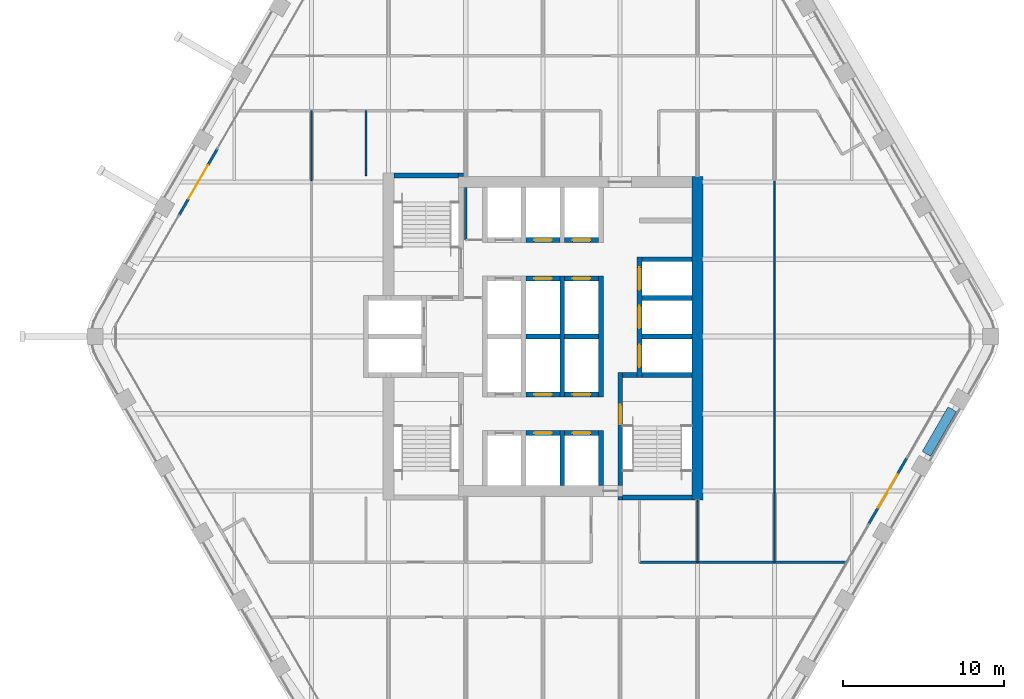
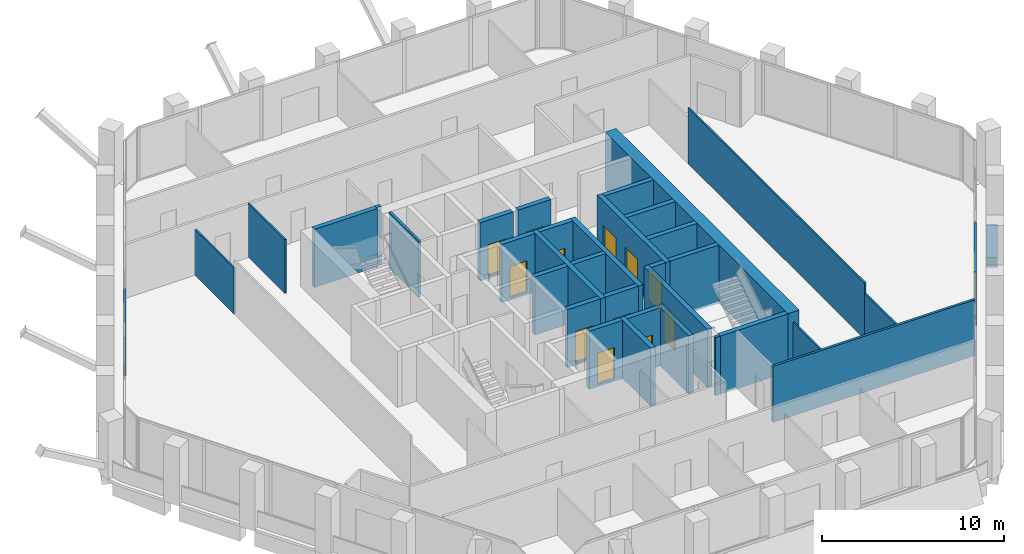
# One storey, part 11 of 16: 36 walls, 14 doors, 14 openings.
"""IFC4 building model written with IfcOpenShell, lengths in metres."""

from ifc_helpers import new_model, si_unit, direction, frame, frame_2d, origin, place, context, subcontext, project, spatial, rectangle, extrude, material, layer, layer_set, type_object, element, fill, save


model = new_model("IFC4")

# Units and contexts
model_context = context("Model", 3, precision=1e-05, world=origin(), true_north=direction((0.0, 1.0)))
body_context = subcontext(model_context, "Body", "Model", "MODEL_VIEW")
ifc_project = project(units=[si_unit("LENGTHUNIT", "METRE"), si_unit("AREAUNIT", "SQUARE_METRE"), si_unit("VOLUMEUNIT", "CUBIC_METRE"), si_unit("PLANEANGLEUNIT", "RADIAN"), si_unit("MASSUNIT", "GRAM", prefix="KILO")], contexts=[model_context])

# Site, building, storey
site_placement = place(None, origin())
site = spatial("IfcSite", under=ifc_project, at=site_placement, CompositionType="ELEMENT")
building_placement = place(site_placement, origin())
building = spatial("IfcBuilding", under=site, at=building_placement, Name="Kolab Exchange Tower", CompositionType="ELEMENT")
storey_placement = place(building_placement, frame((0.0, 0.0, 146.60009765625)))
storey = spatial("IfcBuildingStorey", under=building, at=storey_placement, Name="L29", CompositionType="ELEMENT", Elevation=146.60009765625)

# Wall
ifc_material_1 = material(Name="Concrete C60/75", Category="concrete")
ifc_layer_1 = layer(ifc_material_1, 0.699951171875)
ifc_layer_set_1 = layer_set([ifc_layer_1], Name="Concrete C60/75")
wall_type_1 = type_object("IfcWallType", Name="CORE WALL 700 C60/75", PredefinedType="SHEAR", material=ifc_layer_set_1)
wall_1_placement = place(storey_placement, frame((9.60009765625, -10.14990234375, -0.150146484375), z_axis=(0.0, 0.0, 1.0), x_axis=(0.0, 1.0, 0.0)))
element("IfcWall", 1, at=wall_1_placement, inside=storey, type_object=wall_type_1, Name="wall/L29/core/058", PredefinedType="SHEAR", context=body_context, shape_type="SweptSolid", body=[
    extrude(rectangle(XDim=20.099853515625, YDim=0.699951171875, at=frame_2d((10.0498046875, 0.0))), origin(), (0.0, 0.0, 1.0), 3.900146484375),
])

# Wall, opening, door
ifc_material_2 = material(Name="Aluminium EN AW-6063 T6", Category="aluminium")
ifc_layer_2 = layer(ifc_material_2, 0.159912109375)
ifc_layer_set_2 = layer_set([ifc_layer_2], Name="Aluminium EN AW-6063 T6")
wall_type_2 = type_object("IfcWallType", Name="DOOR SURROUND WALL 160 ALUMINIUM FRAMED", PredefinedType="PARTITIONING", material=ifc_layer_set_2)
wall_2_placement = place(storey_placement, frame((22.61669921875, -7.5498046875, 0.0), z_axis=(0.0, 0.0, 1.0), x_axis=(-0.5000167099, -0.866015756104, 0.0)))
wall_2 = element("IfcWall", 2, at=wall_2_placement, inside=storey, type_object=wall_type_2, Name="Door surround wall", PredefinedType="PARTITIONING", context=body_context, shape_type="SweptSolid", body=[
    extrude(rectangle(XDim=4.739990234375, YDim=0.159912109375, at=frame_2d((2.3701171875, 0.0))), origin(), (0.0, 0.0, 1.0), 3.599853515625),
])
opening_1_placement = place(wall_2_placement, frame((1.169921875, 0.0, 0.0)))
opening_1 = element("IfcOpeningElement", 3, at=opening_1_placement, cuts=wall_2, Name="Opening GD1-072", PredefinedType="OPENING", context=body_context, shape_type="SweptSolid", body=[
    extrude(rectangle(XDim=2.39990234375, YDim=2.39990234375, at=frame_2d((1.199951171875, 1.199951171875))), frame((0.0, 0.08984375, 0.0), z_axis=(0.0, -1.0, 0.0), x_axis=(1.0, 0.0, 0.0)), (0.0, 0.0, 1.0), 0.179931640625),
])
door_type_1 = type_object("IfcDoorType", Name="LOGGIA SLIDING GLASS DOOR 2400 X 2400", OperationType="DOUBLE_DOOR_SINGLE_SWING", PredefinedType="DOOR", material=ifc_material_2)
door_1_placement = place(opening_1_placement, origin())
door_1 = element("IfcDoor", 4, at=door_1_placement, inside=storey, type_object=door_type_1, Name="Loggia door", OperationType="DOUBLE_DOOR_SLIDING", OverallHeight=2.39990234375, OverallWidth=2.39990234375, PredefinedType="DOOR", context=body_context, shape_type="SweptSolid", body=[
    extrude(rectangle(XDim=2.39990234375, YDim=2.39990234375, at=frame_2d((1.199951171875, 1.199951171875))), frame((0.0, 0.02490234375, 0.0), z_axis=(0.0, -1.0, 0.0), x_axis=(1.0, 0.0, 0.0)), (0.0, 0.0, 1.0), 0.050048828125),
])
fill(opening_1, door_1)

wall_3_placement = place(storey_placement, frame((-22.61669921875, 7.5498046875, 0.0), z_axis=(0.0, 0.0, 1.0), x_axis=(0.5000167099, 0.866015756104, 0.0)))
wall_3 = element("IfcWall", 5, at=wall_3_placement, inside=storey, type_object=wall_type_2, Name="Door surround wall", PredefinedType="PARTITIONING", context=body_context, shape_type="SweptSolid", body=[
    extrude(rectangle(XDim=4.739990234375, YDim=0.159912109375, at=frame_2d((2.3701171875, 0.0))), origin(), (0.0, 0.0, 1.0), 2.5498046875),
])
opening_2_placement = place(wall_3_placement, frame((1.169921875, 0.0, 0.0)))
opening_2 = element("IfcOpeningElement", 6, at=opening_2_placement, cuts=wall_3, Name="Opening GD1-075", PredefinedType="OPENING", context=body_context, shape_type="SweptSolid", body=[
    extrude(rectangle(XDim=2.39990234375, YDim=2.39990234375, at=frame_2d((1.199951171875, 1.199951171875))), frame((0.0, 0.08984375, 0.0), z_axis=(0.0, -1.0, 0.0), x_axis=(1.0, 0.0, 0.0)), (0.0, 0.0, 1.0), 0.179931640625),
])
door_2_placement = place(opening_2_placement, origin())
door_2 = element("IfcDoor", 7, at=door_2_placement, inside=storey, type_object=door_type_1, Name="Loggia door", OperationType="DOUBLE_DOOR_SLIDING", OverallHeight=2.39990234375, OverallWidth=2.39990234375, PredefinedType="DOOR", context=body_context, shape_type="SweptSolid", body=[
    extrude(rectangle(XDim=2.39990234375, YDim=2.39990234375, at=frame_2d((1.199951171875, 1.199951171875))), frame((0.0, 0.02490234375, 0.0), z_axis=(0.0, -1.0, 0.0), x_axis=(1.0, 0.0, 0.0)), (0.0, 0.0, 1.0), 0.050048828125),
])
fill(opening_2, door_2)

ifc_material_3 = material(Name="Concrete C50/60", Category="concrete")
ifc_layer_3 = layer(ifc_material_3, 0.300048828125)
ifc_layer_set_3 = layer_set([ifc_layer_3], Name="Concrete C50/60")
wall_type_3 = type_object("IfcWallType", Name="LIFT SHAFT WALL 300 C50/60", PredefinedType="STANDARD", material=ifc_layer_set_3)
wall_4_placement = place(storey_placement, frame((-1.050048828125, -6.0, -0.150146484375), z_axis=(0.0, 0.0, 1.0), x_axis=(1.0, 0.0, 0.0)))
wall_4 = element("IfcWall", 8, at=wall_4_placement, inside=storey, type_object=wall_type_3, Name="wall/L29/core/004", PredefinedType="STANDARD", context=body_context, shape_type="SweptSolid", body=[
    extrude(rectangle(XDim=2.10009765625, YDim=0.300048828125, at=frame_2d((1.050048828125, 0.0))), origin(), (0.0, 0.0, 1.0), 3.900146484375),
])
opening_3_placement = place(wall_4_placement, frame((0.5, 0.0, 0.14990234375)))
opening_3 = element("IfcOpeningElement", 9, at=opening_3_placement, cuts=wall_4, Name="Opening LD1-111", PredefinedType="OPENING", context=body_context, shape_type="SweptSolid", body=[
    extrude(rectangle(XDim=1.10009765625, YDim=2.10009765625, at=frame_2d((0.550048828125, 1.050048828125))), frame((0.0, 0.16015625, 0.0), z_axis=(0.0, -1.0, 0.0), x_axis=(1.0, 0.0, 0.0)), (0.0, 0.0, 1.0), 0.320068359375),
])
ifc_material_4 = material(Name="Stainless steel 316", Category="steel")
door_type_2 = type_object("IfcDoorType", Name="LANDING DOOR 1100 PASSENGER", OperationType="DOUBLE_DOOR_SLIDING", PredefinedType="DOOR", material=ifc_material_4)
door_3_placement = place(opening_3_placement, origin())
door_3 = element("IfcDoor", 10, at=door_3_placement, inside=storey, type_object=door_type_2, Name="Landing door HR11", OperationType="DOUBLE_DOOR_SLIDING", OverallHeight=2.10009765625, OverallWidth=1.10009765625, PredefinedType="DOOR", context=body_context, shape_type="SweptSolid", body=[
    extrude(rectangle(XDim=1.10009765625, YDim=2.10009765625, at=frame_2d((0.550048828125, 1.050048828125))), frame((0.0, 0.02490234375, 0.0), z_axis=(0.0, -1.0, 0.0), x_axis=(1.0, 0.0, 0.0)), (0.0, 0.0, 1.0), 0.050048828125),
])
fill(opening_3, door_3)

wall_5_placement = place(storey_placement, frame((1.35009765625, -6.0, -0.150146484375), z_axis=(0.0, 0.0, 1.0), x_axis=(1.0, 0.0, 0.0)))
wall_5 = element("IfcWall", 11, at=wall_5_placement, inside=storey, type_object=wall_type_3, Name="wall/L29/core/005", PredefinedType="STANDARD", context=body_context, shape_type="SweptSolid", body=[
    extrude(rectangle(XDim=2.099853515625, YDim=0.300048828125, at=frame_2d((1.0498046875, 0.0))), origin(), (0.0, 0.0, 1.0), 3.900146484375),
])
opening_4_placement = place(wall_5_placement, frame((0.5, 0.0, 0.14990234375)))
opening_4 = element("IfcOpeningElement", 12, at=opening_4_placement, cuts=wall_5, Name="Opening LD1-112", PredefinedType="OPENING", context=body_context, shape_type="SweptSolid", body=[
    extrude(rectangle(XDim=1.10009765625, YDim=2.10009765625, at=frame_2d((0.550048828125, 1.050048828125))), frame((0.0, 0.16015625, 0.0), z_axis=(0.0, -1.0, 0.0), x_axis=(1.0, 0.0, 0.0)), (0.0, 0.0, 1.0), 0.320068359375),
])
door_4_placement = place(opening_4_placement, origin())
door_4 = element("IfcDoor", 13, at=door_4_placement, inside=storey, type_object=door_type_2, Name="Landing door HR12", OperationType="DOUBLE_DOOR_SLIDING", OverallHeight=2.10009765625, OverallWidth=1.10009765625, PredefinedType="DOOR", context=body_context, shape_type="SweptSolid", body=[
    extrude(rectangle(XDim=1.10009765625, YDim=2.10009765625, at=frame_2d((0.550048828125, 1.050048828125))), frame((0.0, 0.02490234375, 0.0), z_axis=(0.0, -1.0, 0.0), x_axis=(1.0, 0.0, 0.0)), (0.0, 0.0, 1.0), 0.050048828125),
])
fill(opening_4, door_4)

wall_6_placement = place(storey_placement, frame((-1.050048828125, -3.60009765625, -0.150146484375), z_axis=(0.0, 0.0, 1.0), x_axis=(1.0, 0.0, 0.0)))
wall_6 = element("IfcWall", 14, at=wall_6_placement, inside=storey, type_object=wall_type_3, Name="wall/L29/core/007", PredefinedType="STANDARD", context=body_context, shape_type="SweptSolid", body=[
    extrude(rectangle(XDim=2.10009765625, YDim=0.300048828125, at=frame_2d((1.050048828125, 0.0))), origin(), (0.0, 0.0, 1.0), 3.900146484375),
])
opening_5_placement = place(wall_6_placement, frame((0.5, 0.0, 0.14990234375)))
opening_5 = element("IfcOpeningElement", 15, at=opening_5_placement, cuts=wall_6, Name="Opening LD1-119", PredefinedType="OPENING", context=body_context, shape_type="SweptSolid", body=[
    extrude(rectangle(XDim=1.10009765625, YDim=2.10009765625, at=frame_2d((0.550048828125, 1.050048828125))), frame((0.0, 0.16015625, 0.0), z_axis=(0.0, -1.0, 0.0), x_axis=(1.0, 0.0, 0.0)), (0.0, 0.0, 1.0), 0.320068359375),
])
door_5_placement = place(opening_5_placement, origin())
door_5 = element("IfcDoor", 16, at=door_5_placement, inside=storey, type_object=door_type_2, Name="Landing door HR8", OperationType="DOUBLE_DOOR_SLIDING", OverallHeight=2.10009765625, OverallWidth=1.10009765625, PredefinedType="DOOR", context=body_context, shape_type="SweptSolid", body=[
    extrude(rectangle(XDim=1.10009765625, YDim=2.10009765625, at=frame_2d((0.550048828125, 1.050048828125))), frame((0.0, 0.02490234375, 0.0), z_axis=(0.0, -1.0, 0.0), x_axis=(1.0, 0.0, 0.0)), (0.0, 0.0, 1.0), 0.050048828125),
])
fill(opening_5, door_5)

wall_7_placement = place(storey_placement, frame((1.35009765625, -3.60009765625, -0.150146484375), z_axis=(0.0, 0.0, 1.0), x_axis=(1.0, 0.0, 0.0)))
wall_7 = element("IfcWall", 17, at=wall_7_placement, inside=storey, type_object=wall_type_3, Name="wall/L29/core/008", PredefinedType="STANDARD", context=body_context, shape_type="SweptSolid", body=[
    extrude(rectangle(XDim=2.099853515625, YDim=0.300048828125, at=frame_2d((1.0498046875, 0.0))), origin(), (0.0, 0.0, 1.0), 3.900146484375),
])
opening_6_placement = place(wall_7_placement, frame((0.5, 0.0, 0.14990234375)))
opening_6 = element("IfcOpeningElement", 18, at=opening_6_placement, cuts=wall_7, Name="Opening LD1-120", PredefinedType="OPENING", context=body_context, shape_type="SweptSolid", body=[
    extrude(rectangle(XDim=1.10009765625, YDim=2.10009765625, at=frame_2d((0.550048828125, 1.050048828125))), frame((0.0, 0.16015625, 0.0), z_axis=(0.0, -1.0, 0.0), x_axis=(1.0, 0.0, 0.0)), (0.0, 0.0, 1.0), 0.320068359375),
])
door_6_placement = place(opening_6_placement, origin())
door_6 = element("IfcDoor", 19, at=door_6_placement, inside=storey, type_object=door_type_2, Name="Landing door HR9", OperationType="DOUBLE_DOOR_SLIDING", OverallHeight=2.10009765625, OverallWidth=1.10009765625, PredefinedType="DOOR", context=body_context, shape_type="SweptSolid", body=[
    extrude(rectangle(XDim=1.10009765625, YDim=2.10009765625, at=frame_2d((0.550048828125, 1.050048828125))), frame((0.0, 0.02490234375, 0.0), z_axis=(0.0, -1.0, 0.0), x_axis=(1.0, 0.0, 0.0)), (0.0, 0.0, 1.0), 0.050048828125),
])
fill(opening_6, door_6)

# Walls
wall_8_placement = place(storey_placement, frame((-1.050048828125, 0.0, -0.150146484375), z_axis=(0.0, 0.0, 1.0), x_axis=(1.0, 0.0, 0.0)))
element("IfcWall", 20, at=wall_8_placement, inside=storey, type_object=wall_type_3, Name="wall/L29/core/016", PredefinedType="STANDARD", context=body_context, shape_type="SweptSolid", body=[
    extrude(rectangle(XDim=2.10009765625, YDim=0.300048828125, at=frame_2d((1.050048828125, 0.0))), origin(), (0.0, 0.0, 1.0), 3.900146484375),
])
wall_9_placement = place(storey_placement, frame((1.35009765625, 0.0, -0.150146484375), z_axis=(0.0, 0.0, 1.0), x_axis=(1.0, 0.0, 0.0)))
element("IfcWall", 21, at=wall_9_placement, inside=storey, type_object=wall_type_3, Name="wall/L29/core/017", PredefinedType="STANDARD", context=body_context, shape_type="SweptSolid", body=[
    extrude(rectangle(XDim=2.099853515625, YDim=0.300048828125, at=frame_2d((1.0498046875, 0.0))), origin(), (0.0, 0.0, 1.0), 3.900146484375),
])
for number, where, z_axis, x_axis, name in (
    (22, (6.14990234375, 0.0, -0.150146484375), (0.0, 0.0, 1.0), (1.0, 0.0, 0.0), "wall/L29/core/018"),
    (23, (6.14990234375, 2.39990234375, -0.150146484375), (0.0, 0.0, 1.0), (1.0, 0.0, 0.0), "wall/L29/core/022"),
):
    element("IfcWall", number, at=place(storey_placement, frame(where, z_axis=z_axis, x_axis=x_axis)), inside=storey, type_object=wall_type_3, Name=name, PredefinedType="STANDARD", context=body_context, shape_type="SweptSolid", body=[
        extrude(rectangle(XDim=3.10009765625, YDim=0.300048828125, at=frame_2d((1.550048828125, 0.0))), origin(), (0.0, 0.0, 1.0), 3.900146484375),
    ])

# Wall, opening, door
wall_10_placement = place(storey_placement, frame((-1.050048828125, 3.60009765625, -0.150146484375), z_axis=(0.0, 0.0, 1.0), x_axis=(1.0, 0.0, 0.0)))
wall_10 = element("IfcWall", 24, at=wall_10_placement, inside=storey, type_object=wall_type_3, Name="wall/L29/core/024", PredefinedType="STANDARD", context=body_context, shape_type="SweptSolid", body=[
    extrude(rectangle(XDim=2.10009765625, YDim=0.300048828125, at=frame_2d((1.050048828125, 0.0))), origin(), (0.0, 0.0, 1.0), 3.900146484375),
])
opening_7_placement = place(wall_10_placement, frame((0.5, 0.0, 0.14990234375)))
opening_7 = element("IfcOpeningElement", 25, at=opening_7_placement, cuts=wall_10, Name="Opening LD1-116", PredefinedType="OPENING", context=body_context, shape_type="SweptSolid", body=[
    extrude(rectangle(XDim=1.10009765625, YDim=2.10009765625, at=frame_2d((0.550048828125, 1.050048828125))), frame((0.0, 0.16015625, 0.0), z_axis=(0.0, -1.0, 0.0), x_axis=(1.0, 0.0, 0.0)), (0.0, 0.0, 1.0), 0.320068359375),
])
door_7_placement = place(opening_7_placement, origin())
door_7 = element("IfcDoor", 26, at=door_7_placement, inside=storey, type_object=door_type_2, Name="Landing door HR5", OperationType="DOUBLE_DOOR_SLIDING", OverallHeight=2.10009765625, OverallWidth=1.10009765625, PredefinedType="DOOR", context=body_context, shape_type="SweptSolid", body=[
    extrude(rectangle(XDim=1.10009765625, YDim=2.10009765625, at=frame_2d((0.550048828125, 1.050048828125))), frame((0.0, 0.02490234375, 0.0), z_axis=(0.0, -1.0, 0.0), x_axis=(1.0, 0.0, 0.0)), (0.0, 0.0, 1.0), 0.050048828125),
])
fill(opening_7, door_7)

wall_11_placement = place(storey_placement, frame((1.35009765625, 3.60009765625, -0.150146484375), z_axis=(0.0, 0.0, 1.0), x_axis=(1.0, 0.0, 0.0)))
wall_11 = element("IfcWall", 27, at=wall_11_placement, inside=storey, type_object=wall_type_3, Name="wall/L29/core/025", PredefinedType="STANDARD", context=body_context, shape_type="SweptSolid", body=[
    extrude(rectangle(XDim=2.099853515625, YDim=0.300048828125, at=frame_2d((1.0498046875, 0.0))), origin(), (0.0, 0.0, 1.0), 3.900146484375),
])
opening_8_placement = place(wall_11_placement, frame((0.5, 0.0, 0.14990234375)))
opening_8 = element("IfcOpeningElement", 28, at=opening_8_placement, cuts=wall_11, Name="Opening LD1-117", PredefinedType="OPENING", context=body_context, shape_type="SweptSolid", body=[
    extrude(rectangle(XDim=1.10009765625, YDim=2.10009765625, at=frame_2d((0.550048828125, 1.050048828125))), frame((0.0, 0.16015625, 0.0), z_axis=(0.0, -1.0, 0.0), x_axis=(1.0, 0.0, 0.0)), (0.0, 0.0, 1.0), 0.320068359375),
])
door_8_placement = place(opening_8_placement, origin())
door_8 = element("IfcDoor", 29, at=door_8_placement, inside=storey, type_object=door_type_2, Name="Landing door HR6", OperationType="DOUBLE_DOOR_SLIDING", OverallHeight=2.10009765625, OverallWidth=1.10009765625, PredefinedType="DOOR", context=body_context, shape_type="SweptSolid", body=[
    extrude(rectangle(XDim=1.10009765625, YDim=2.10009765625, at=frame_2d((0.550048828125, 1.050048828125))), frame((0.0, 0.02490234375, 0.0), z_axis=(0.0, -1.0, 0.0), x_axis=(1.0, 0.0, 0.0)), (0.0, 0.0, 1.0), 0.050048828125),
])
fill(opening_8, door_8)

# Wall
wall_12_placement = place(storey_placement, frame((6.14990234375, 4.800048828125, -0.150146484375), z_axis=(0.0, 0.0, 1.0), x_axis=(1.0, 0.0, 0.0)))
element("IfcWall", 30, at=wall_12_placement, inside=storey, type_object=wall_type_3, Name="wall/L29/core/026", PredefinedType="STANDARD", context=body_context, shape_type="SweptSolid", body=[
    extrude(rectangle(XDim=3.10009765625, YDim=0.300048828125, at=frame_2d((1.550048828125, 0.0))), origin(), (0.0, 0.0, 1.0), 3.900146484375),
])

# Wall, opening, door
wall_13_placement = place(storey_placement, frame((-1.050048828125, 6.0, -0.150146484375), z_axis=(0.0, 0.0, 1.0), x_axis=(1.0, 0.0, 0.0)))
wall_13 = element("IfcWall", 31, at=wall_13_placement, inside=storey, type_object=wall_type_3, Name="wall/L29/core/028", PredefinedType="STANDARD", context=body_context, shape_type="SweptSolid", body=[
    extrude(rectangle(XDim=2.10009765625, YDim=0.300048828125, at=frame_2d((1.050048828125, 0.0))), origin(), (0.0, 0.0, 1.0), 3.900146484375),
])
opening_9_placement = place(wall_13_placement, frame((0.5, 0.0, 0.14990234375)))
opening_9 = element("IfcOpeningElement", 32, at=opening_9_placement, cuts=wall_13, Name="Opening LD1-113", PredefinedType="OPENING", context=body_context, shape_type="SweptSolid", body=[
    extrude(rectangle(XDim=1.10009765625, YDim=2.10009765625, at=frame_2d((0.550048828125, 1.050048828125))), frame((0.0, 0.16015625, 0.0), z_axis=(0.0, -1.0, 0.0), x_axis=(1.0, 0.0, 0.0)), (0.0, 0.0, 1.0), 0.320068359375),
])
door_9_placement = place(opening_9_placement, origin())
door_9 = element("IfcDoor", 33, at=door_9_placement, inside=storey, type_object=door_type_2, Name="Landing door HR2", OperationType="DOUBLE_DOOR_SLIDING", OverallHeight=2.10009765625, OverallWidth=1.10009765625, PredefinedType="DOOR", context=body_context, shape_type="SweptSolid", body=[
    extrude(rectangle(XDim=1.10009765625, YDim=2.10009765625, at=frame_2d((0.550048828125, 1.050048828125))), frame((0.0, 0.02490234375, 0.0), z_axis=(0.0, -1.0, 0.0), x_axis=(1.0, 0.0, 0.0)), (0.0, 0.0, 1.0), 0.050048828125),
])
fill(opening_9, door_9)

wall_14_placement = place(storey_placement, frame((1.35009765625, 6.0, -0.150146484375), z_axis=(0.0, 0.0, 1.0), x_axis=(1.0, 0.0, 0.0)))
wall_14 = element("IfcWall", 34, at=wall_14_placement, inside=storey, type_object=wall_type_3, Name="wall/L29/core/029", PredefinedType="STANDARD", context=body_context, shape_type="SweptSolid", body=[
    extrude(rectangle(XDim=2.099853515625, YDim=0.300048828125, at=frame_2d((1.0498046875, 0.0))), origin(), (0.0, 0.0, 1.0), 3.900146484375),
])
opening_10_placement = place(wall_14_placement, frame((0.5, 0.0, 0.14990234375)))
opening_10 = element("IfcOpeningElement", 35, at=opening_10_placement, cuts=wall_14, Name="Opening LD1-114", PredefinedType="OPENING", context=body_context, shape_type="SweptSolid", body=[
    extrude(rectangle(XDim=1.10009765625, YDim=2.10009765625, at=frame_2d((0.550048828125, 1.050048828125))), frame((0.0, 0.16015625, 0.0), z_axis=(0.0, -1.0, 0.0), x_axis=(1.0, 0.0, 0.0)), (0.0, 0.0, 1.0), 0.320068359375),
])
door_10_placement = place(opening_10_placement, origin())
door_10 = element("IfcDoor", 36, at=door_10_placement, inside=storey, type_object=door_type_2, Name="Landing door HR3", OperationType="DOUBLE_DOOR_SLIDING", OverallHeight=2.10009765625, OverallWidth=1.10009765625, PredefinedType="DOOR", context=body_context, shape_type="SweptSolid", body=[
    extrude(rectangle(XDim=1.10009765625, YDim=2.10009765625, at=frame_2d((0.550048828125, 1.050048828125))), frame((0.0, 0.02490234375, 0.0), z_axis=(0.0, -1.0, 0.0), x_axis=(1.0, 0.0, 0.0)), (0.0, 0.0, 1.0), 0.050048828125),
])
fill(opening_10, door_10)

# Walls
wall_15_placement = place(storey_placement, frame((1.199951171875, -9.25, -0.150146484375), z_axis=(0.0, 0.0, 1.0), x_axis=(0.0, 1.0, 0.0)))
element("IfcWall", 37, at=wall_15_placement, inside=storey, type_object=wall_type_3, Name="wall/L29/core/049", PredefinedType="STANDARD", context=body_context, shape_type="SweptSolid", body=[
    extrude(rectangle(XDim=3.39990234375, YDim=0.300048828125, at=frame_2d((1.699951171875, 0.0))), origin(), (0.0, 0.0, 1.0), 3.900146484375),
])
wall_16_placement = place(storey_placement, frame((1.199951171875, -3.75, -0.150146484375), z_axis=(0.0, 0.0, 1.0), x_axis=(0.0, 1.0, 0.0)))
element("IfcWall", 38, at=wall_16_placement, inside=storey, type_object=wall_type_3, Name="wall/L29/core/050", PredefinedType="STANDARD", context=body_context, shape_type="SweptSolid", body=[
    extrude(rectangle(XDim=7.5, YDim=0.300048828125, at=frame_2d((3.75, 0.0))), origin(), (0.0, 0.0, 1.0), 3.900146484375),
])
wall_17_placement = place(storey_placement, frame((3.60009765625, -9.25, -0.150146484375), z_axis=(0.0, 0.0, 1.0), x_axis=(0.0, 1.0, 0.0)))
element("IfcWall", 39, at=wall_17_placement, inside=storey, type_object=wall_type_3, Name="wall/L29/core/052", PredefinedType="STANDARD", context=body_context, shape_type="SweptSolid", body=[
    extrude(rectangle(XDim=3.39990234375, YDim=0.300048828125, at=frame_2d((1.699951171875, 0.0))), origin(), (0.0, 0.0, 1.0), 3.900146484375),
])
wall_18_placement = place(storey_placement, frame((3.60009765625, -3.75, -0.150146484375), z_axis=(0.0, 0.0, 1.0), x_axis=(0.0, 1.0, 0.0)))
element("IfcWall", 40, at=wall_18_placement, inside=storey, type_object=wall_type_3, Name="wall/L29/core/053", PredefinedType="STANDARD", context=body_context, shape_type="SweptSolid", body=[
    extrude(rectangle(XDim=7.5, YDim=0.300048828125, at=frame_2d((3.75, 0.0))), origin(), (0.0, 0.0, 1.0), 3.900146484375),
])

# Wall, openings, doors
wall_19_placement = place(storey_placement, frame((6.0, -2.550048828125, -0.150146484375), z_axis=(0.0, 0.0, 1.0), x_axis=(0.0, 1.0, 0.0)))
wall_19 = element("IfcWall", 41, at=wall_19_placement, inside=storey, type_object=wall_type_3, Name="wall/L29/core/057", PredefinedType="STANDARD", context=body_context, shape_type="SweptSolid", body=[
    extrude(rectangle(XDim=7.5, YDim=0.300048828125, at=frame_2d((3.75, 0.0))), origin(), (0.0, 0.0, 1.0), 3.900146484375),
])
opening_11_placement = place(wall_19_placement, frame((0.64990234375, 0.0, 0.14990234375)))
opening_11 = element("IfcOpeningElement", 42, at=opening_11_placement, cuts=wall_19, Name="Opening LD3-037", PredefinedType="OPENING", context=body_context, shape_type="SweptSolid", body=[
    extrude(rectangle(XDim=1.39990234375, YDim=2.10009765625, at=frame_2d((0.699951171875, 1.050048828125))), frame((0.0, 0.16015625, 0.0), z_axis=(0.0, -1.0, 0.0), x_axis=(1.0, 0.0, 0.0)), (0.0, 0.0, 1.0), 0.320068359375),
])
opening_12_placement = place(wall_19_placement, frame((3.050048828125, 0.0, 0.14990234375)))
opening_12 = element("IfcOpeningElement", 43, at=opening_12_placement, cuts=wall_19, Name="Opening LD3-038", PredefinedType="OPENING", context=body_context, shape_type="SweptSolid", body=[
    extrude(rectangle(XDim=1.39990234375, YDim=2.10009765625, at=frame_2d((0.699951171875, 1.050048828125))), frame((0.0, 0.16015625, 0.0), z_axis=(0.0, -1.0, 0.0), x_axis=(1.0, 0.0, 0.0)), (0.0, 0.0, 1.0), 0.320068359375),
])
opening_13_placement = place(wall_19_placement, frame((5.449951171875, 0.0, 0.14990234375)))
opening_13 = element("IfcOpeningElement", 44, at=opening_13_placement, cuts=wall_19, Name="Opening LD3-039", PredefinedType="OPENING", context=body_context, shape_type="SweptSolid", body=[
    extrude(rectangle(XDim=1.39990234375, YDim=2.10009765625, at=frame_2d((0.699951171875, 1.050048828125))), frame((0.0, 0.16015625, 0.0), z_axis=(0.0, -1.0, 0.0), x_axis=(1.0, 0.0, 0.0)), (0.0, 0.0, 1.0), 0.320068359375),
])
door_type_3 = type_object("IfcDoorType", Name="LANDING DOOR 1400 SERVICE", OperationType="DOUBLE_DOOR_SLIDING", PredefinedType="DOOR", material=ifc_material_4)
door_11_placement = place(opening_11_placement, origin())
door_11 = element("IfcDoor", 45, at=door_11_placement, inside=storey, type_object=door_type_3, Name="Landing door SV1", OperationType="DOUBLE_DOOR_SLIDING", OverallHeight=2.10009765625, OverallWidth=1.39990234375, PredefinedType="DOOR", context=body_context, shape_type="SweptSolid", body=[
    extrude(rectangle(XDim=1.39990234375, YDim=2.10009765625, at=frame_2d((0.699951171875, 1.050048828125))), frame((0.0, 0.02490234375, 0.0), z_axis=(0.0, -1.0, 0.0), x_axis=(1.0, 0.0, 0.0)), (0.0, 0.0, 1.0), 0.050048828125),
])
fill(opening_11, door_11)
door_12_placement = place(opening_12_placement, origin())
door_12 = element("IfcDoor", 46, at=door_12_placement, inside=storey, type_object=door_type_3, Name="Landing door SV2", OperationType="DOUBLE_DOOR_SLIDING", OverallHeight=2.10009765625, OverallWidth=1.39990234375, PredefinedType="DOOR", context=body_context, shape_type="SweptSolid", body=[
    extrude(rectangle(XDim=1.39990234375, YDim=2.10009765625, at=frame_2d((0.699951171875, 1.050048828125))), frame((0.0, 0.02490234375, 0.0), z_axis=(0.0, -1.0, 0.0), x_axis=(1.0, 0.0, 0.0)), (0.0, 0.0, 1.0), 0.050048828125),
])
fill(opening_12, door_12)
door_13_placement = place(opening_13_placement, origin())
door_13 = element("IfcDoor", 47, at=door_13_placement, inside=storey, type_object=door_type_3, Name="Landing door SV3", OperationType="DOUBLE_DOOR_SLIDING", OverallHeight=2.10009765625, OverallWidth=1.39990234375, PredefinedType="DOOR", context=body_context, shape_type="SweptSolid", body=[
    extrude(rectangle(XDim=1.39990234375, YDim=2.10009765625, at=frame_2d((0.699951171875, 1.050048828125))), frame((0.0, 0.02490234375, 0.0), z_axis=(0.0, -1.0, 0.0), x_axis=(1.0, 0.0, 0.0)), (0.0, 0.0, 1.0), 0.050048828125),
])
fill(opening_13, door_13)

# Walls
ifc_material_5 = material(Name="Gypsum board", Category="gypsum")
ifc_layer_4 = layer(ifc_material_5, 0.10009765625)
ifc_layer_set_4 = layer_set([ifc_layer_4], Name="Gypsum board")
wall_type_4 = type_object("IfcWallType", Name="PARTITION 100", PredefinedType="PARTITIONING", material=ifc_layer_set_4)
wall_20_placement = place(storey_placement, frame((14.39990234375, -9.693603515625, 0.0), z_axis=(0.0, 0.0, 1.0), x_axis=(0.0, 1.0, 0.0)))
element("IfcWall", 48, at=wall_20_placement, inside=storey, type_object=wall_type_4, Name="Partition 000", PredefinedType="PARTITIONING", context=body_context, shape_type="SweptSolid", body=[
    extrude(rectangle(XDim=19.38720703125, YDim=0.10009765625, at=frame_2d((9.693603515625, 0.0))), origin(), (0.0, 0.0, 1.0), 3.75),
])
wall_21_placement = place(storey_placement, frame((14.39990234375, -14.04150390625, 0.0), z_axis=(0.0, 0.0, 1.0), x_axis=(0.0, 1.0, 0.0)))
element("IfcWall", 49, at=wall_21_placement, inside=storey, type_object=wall_type_4, Name="Partition 000", PredefinedType="PARTITIONING", context=body_context, shape_type="SweptSolid", body=[
    extrude(rectangle(XDim=4.347900390625, YDim=0.10009765625, at=frame_2d((2.173828125, 0.0))), origin(), (0.0, 0.0, 1.0), 3.06591796875),
])
wall_22_placement = place(storey_placement, frame((9.60009765625, -14.04150390625, 0.0), z_axis=(0.0, 0.0, 1.0), x_axis=(0.0, 1.0, 0.0)))
element("IfcWall", 50, at=wall_22_placement, inside=storey, type_object=wall_type_4, Name="Partition 002", PredefinedType="PARTITIONING", context=body_context, shape_type="SweptSolid", body=[
    extrude(rectangle(XDim=3.8916015625, YDim=0.10009765625, at=frame_2d((1.94580078125, 0.0))), origin(), (0.0, 0.0, 1.0), 3.06591796875),
])
wall_23_placement = place(storey_placement, frame((-11.0, 10.0, 0.0), z_axis=(0.0, 0.0, 1.0), x_axis=(0.0, 1.0, 0.0)))
element("IfcWall", 51, at=wall_23_placement, inside=storey, type_object=wall_type_4, Name="Partition 021", PredefinedType="PARTITIONING", context=body_context, shape_type="SweptSolid", body=[
    extrude(rectangle(XDim=4.04150390625, YDim=0.10009765625, at=frame_2d((2.020751953125, 0.0))), origin(), (0.0, 0.0, 1.0), 3.599853515625),
])
wall_24_placement = place(storey_placement, frame((-14.39990234375, 9.693603515625, 0.0), z_axis=(0.0, 0.0, 1.0), x_axis=(0.0, 1.0, 0.0)))
element("IfcWall", 52, at=wall_24_placement, inside=storey, type_object=wall_type_4, Name="Partition 022", PredefinedType="PARTITIONING", context=body_context, shape_type="SweptSolid", body=[
    extrude(rectangle(XDim=4.347900390625, YDim=0.10009765625, at=frame_2d((2.173828125, 0.0))), origin(), (0.0, 0.0, 1.0), 3.06591796875),
])
ifc_layer_5 = layer(ifc_material_5, 0.14990234375)
ifc_layer_set_5 = layer_set([ifc_layer_5], Name="Gypsum board")
wall_type_5 = type_object("IfcWallType", Name="PARTITION 150 FIRE-RATED", PredefinedType="PARTITIONING", material=ifc_layer_set_5)
wall_25_placement = place(storey_placement, frame((-4.800048828125, 6.0, 0.0), z_axis=(0.0, 0.0, 1.0), x_axis=(0.0, 1.0, 0.0)))
element("IfcWall", 53, at=wall_25_placement, inside=storey, type_object=wall_type_5, Name="Partition 017", PredefinedType="PARTITIONING", context=body_context, shape_type="SweptSolid", body=[
    extrude(rectangle(XDim=3.25, YDim=0.14990234375, at=frame_2d((1.625, 0.0))), origin(), (0.0, 0.0, 1.0), 3.75),
])
wall_26_placement = place(storey_placement, frame((6.0, -14.04150390625, 0.0), z_axis=(0.0, 0.0, 1.0), x_axis=(1.0, 0.0, 0.0)))
element("IfcWall", 54, at=wall_26_placement, inside=storey, type_object=wall_type_5, Name="Partition 029", PredefinedType="PARTITIONING", context=body_context, shape_type="SweptSolid", body=[
    extrude(rectangle(XDim=12.822509765625, YDim=0.14990234375, at=frame_2d((6.4111328125, 0.0))), origin(), (0.0, 0.0, 1.0), 3.75),
])
ifc_material_6 = material(Name="Granite facing", Category="masonry")
ifc_layer_6 = layer(ifc_material_6, 0.0400390625)
ifc_material_7 = material(Name="Concrete C40/50 precast", Category="concrete")
ifc_layer_7 = layer(ifc_material_7, 0.56005859375)
ifc_layer_set_6 = layer_set([ifc_layer_6, ifc_layer_7], Name="Concrete C40/50 precast")
wall_type_6 = type_object("IfcWallType", Name="PLANTER BOX 600 X 700 SOIL DEPTH 550", PredefinedType="USERDEFINED", material=ifc_layer_set_6)
wall_27_placement = place(storey_placement, frame((25.43701171875, -4.524658203125, 0.0), z_axis=(0.0, 0.0, 1.0), x_axis=(-0.499938187974, -0.866061088033, 0.0)))
element("IfcWall", 55, at=wall_27_placement, inside=storey, type_object=wall_type_6, Name="Planter", ObjectType="PLANTER", PredefinedType="USERDEFINED", context=body_context, shape_type="SweptSolid", body=[
    extrude(rectangle(XDim=3.2001953125, YDim=0.60009765625, at=frame_2d((1.60009765625, 0.0))), origin(), (0.0, 0.0, 1.0), 0.699951171875),
])
ifc_layer_8 = layer(ifc_material_3, 0.300048828125)
ifc_layer_set_7 = layer_set([ifc_layer_8], Name="Concrete C50/60")
wall_type_7 = type_object("IfcWallType", Name="STAIR ENCLOSURE WALL 300 C50/60", PredefinedType="STANDARD", material=ifc_layer_set_7)
wall_28_placement = place(storey_placement, frame((4.949951171875, -10.0, -0.150146484375), z_axis=(0.0, 0.0, 1.0), x_axis=(1.0, 0.0, 0.0)))
element("IfcWall", 56, at=wall_28_placement, inside=storey, type_object=wall_type_7, Name="wall/L29/core/001", PredefinedType="STANDARD", context=body_context, shape_type="SweptSolid", body=[
    extrude(rectangle(XDim=4.300048828125, YDim=0.300048828125, at=frame_2d((2.14990234375, 0.0))), origin(), (0.0, 0.0, 1.0), 3.900146484375),
])
wall_29_placement = place(storey_placement, frame((4.949951171875, -2.39990234375, -0.150146484375), z_axis=(0.0, 0.0, 1.0), x_axis=(1.0, 0.0, 0.0)))
element("IfcWall", 57, at=wall_29_placement, inside=storey, type_object=wall_type_7, Name="wall/L29/core/012", PredefinedType="STANDARD", context=body_context, shape_type="SweptSolid", body=[
    extrude(rectangle(XDim=0.900146484375, YDim=0.300048828125, at=frame_2d((0.4501953125, 0.0))), origin(), (0.0, 0.0, 1.0), 3.900146484375),
])
wall_30_placement = place(storey_placement, frame((6.14990234375, -2.39990234375, -0.150146484375), z_axis=(0.0, 0.0, 1.0), x_axis=(1.0, 0.0, 0.0)))
element("IfcWall", 58, at=wall_30_placement, inside=storey, type_object=wall_type_7, Name="wall/L29/core/013", PredefinedType="STANDARD", context=body_context, shape_type="SweptSolid", body=[
    extrude(rectangle(XDim=3.10009765625, YDim=0.300048828125, at=frame_2d((1.550048828125, 0.0))), origin(), (0.0, 0.0, 1.0), 3.900146484375),
])
wall_31_placement = place(storey_placement, frame((-9.25, 10.0, -0.150146484375), z_axis=(0.0, 0.0, 1.0), x_axis=(1.0, 0.0, 0.0)))
element("IfcWall", 59, at=wall_31_placement, inside=storey, type_object=wall_type_7, Name="wall/L29/core/032", PredefinedType="STANDARD", context=body_context, shape_type="SweptSolid", body=[
    extrude(rectangle(XDim=4.0, YDim=0.300048828125, at=frame_2d((2.0, 0.0))), origin(), (0.0, 0.0, 1.0), 3.900146484375),
])
for number, where, z_axis, x_axis, name in (
    (60, (-5.10009765625, 9.949951171875, -0.150146484375), (0.0, 0.0, 1.0), (0.0, 1.0, 0.0), "wall/L29/core/042"),
    (61, (4.800048828125, -10.14990234375, -0.150146484375), (0.0, 0.0, 1.0), (0.0, 1.0, 0.0), "wall/L29/core/055"),
):
    element("IfcWall", number, at=place(storey_placement, frame(where, z_axis=z_axis, x_axis=x_axis)), inside=storey, type_object=wall_type_7, Name=name, PredefinedType="STANDARD", context=body_context, shape_type="SweptSolid", body=[
        extrude(rectangle(XDim=0.199951171875, YDim=0.300048828125, at=frame_2d((0.10009765625, 0.0))), origin(), (0.0, 0.0, 1.0), 3.900146484375),
    ])

# Wall, opening, door
wall_32_placement = place(storey_placement, frame((4.800048828125, -9.25, -0.150146484375), z_axis=(0.0, 0.0, 1.0), x_axis=(0.0, 1.0, 0.0)))
wall_32 = element("IfcWall", 62, at=wall_32_placement, inside=storey, type_object=wall_type_7, Name="wall/L29/core/056", PredefinedType="STANDARD", context=body_context, shape_type="SweptSolid", body=[
    extrude(rectangle(XDim=7.0, YDim=0.300048828125, at=frame_2d((3.5, 0.0))), origin(), (0.0, 0.0, 1.0), 3.900146484375),
])
opening_14_placement = place(wall_32_placement, frame((3.800048828125, 0.0, 0.14990234375)))
opening_14 = element("IfcOpeningElement", 63, at=opening_14_placement, cuts=wall_32, Name="Opening D4-067", PredefinedType="OPENING", context=body_context, shape_type="SweptSolid", body=[
    extrude(rectangle(XDim=1.199951171875, YDim=2.10009765625, at=frame_2d((0.60009765625, 1.050048828125))), frame((0.0, 0.16015625, 0.0), z_axis=(0.0, -1.0, 0.0), x_axis=(1.0, 0.0, 0.0)), (0.0, 0.0, 1.0), 0.320068359375),
])
ifc_material_8 = material(Name="Steel S235", Category="steel")
door_type_4 = type_object("IfcDoorType", Name="STAIR DOOR 1200 EI 120", OperationType="SINGLE_SWING_LEFT", PredefinedType="DOOR", material=ifc_material_8)
door_14_placement = place(opening_14_placement, frame((1.199951171875, 0.0, 0.0), z_axis=(0.0, 0.0, 1.0), x_axis=(-1.0, 0.0, 0.0)))
door_14 = element("IfcDoor", 64, at=door_14_placement, inside=storey, type_object=door_type_4, Name="Stair 2 door", OperationType="SINGLE_SWING_RIGHT", OverallHeight=2.10009765625, OverallWidth=1.199951171875, PredefinedType="DOOR", context=body_context, shape_type="SweptSolid", body=[
    extrude(rectangle(XDim=1.199951171875, YDim=2.10009765625, at=frame_2d((0.60009765625, 1.050048828125))), frame((0.0, 0.02490234375, 0.0), z_axis=(0.0, -1.0, 0.0), x_axis=(1.0, 0.0, 0.0)), (0.0, 0.0, 1.0), 0.050048828125),
])
fill(opening_14, door_14)

save(model, "model.ifc")
